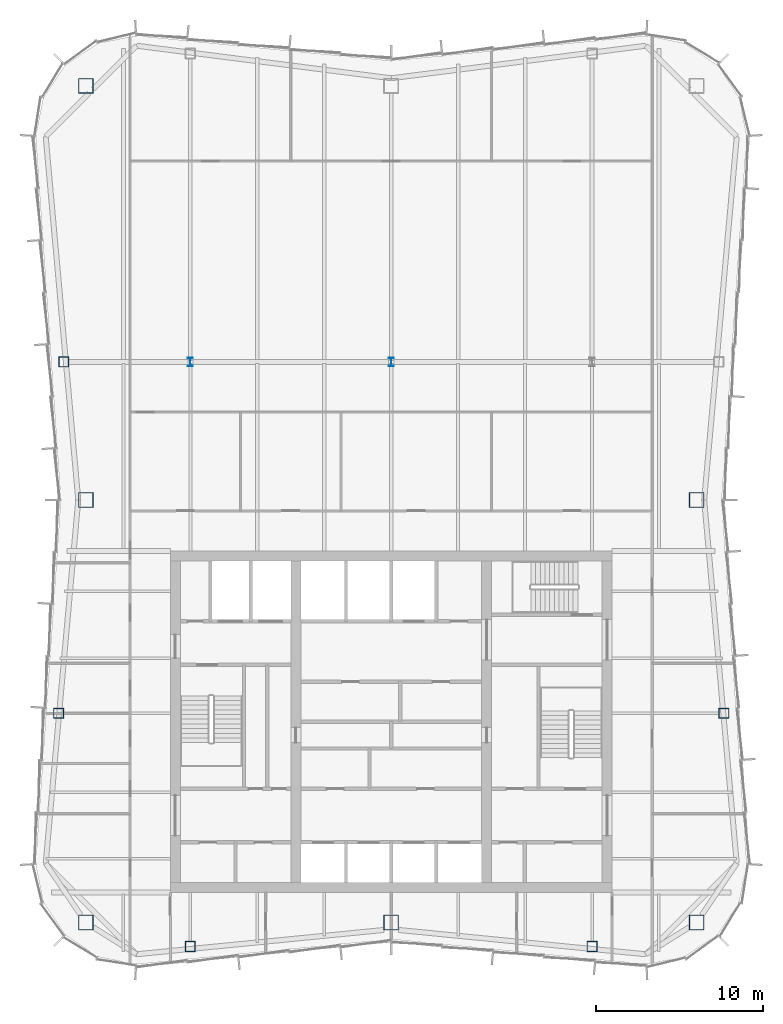
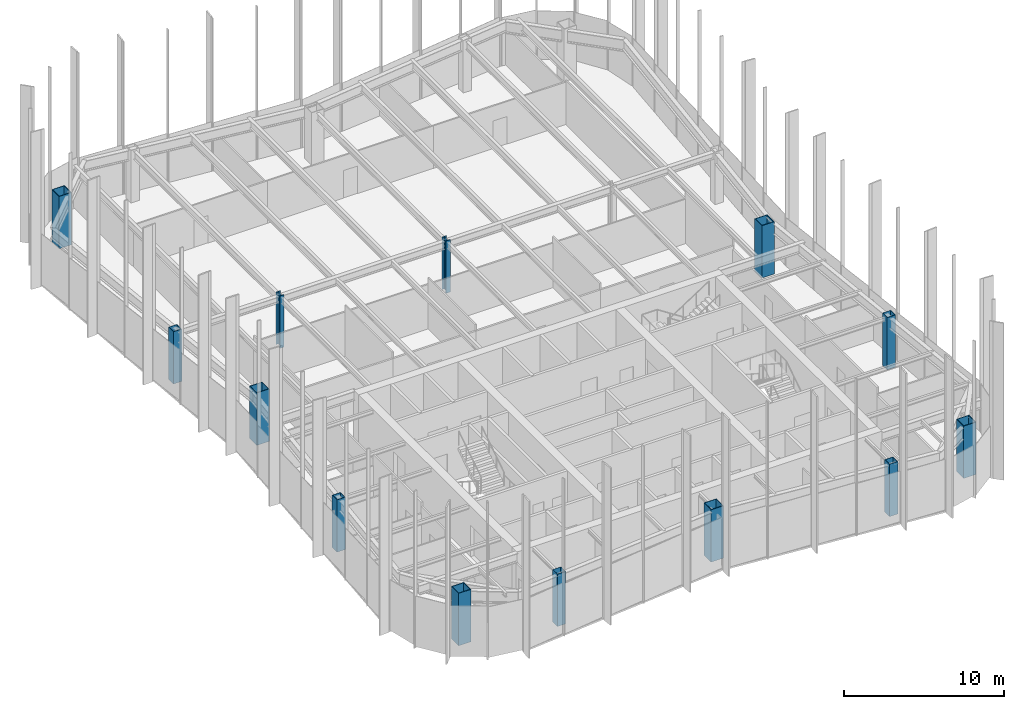
# One storey, part 1 of 13: 13 columns.
"""IFC4 building model written with IfcOpenShell, lengths in metres."""

from ifc_helpers import new_model, si_unit, direction, frame, origin, origin_2d, place, context, subcontext, project, spatial, hollow_rectangle, i_section, extrude, material, material_profile, profile_set, type_object, element, save


model = new_model("IFC4")

# Units and contexts
model_context = context("Model", 3, precision=1e-05, world=origin(), true_north=direction((0.0, 1.0)))
body_context = subcontext(model_context, "Body", "Model", "MODEL_VIEW")
ifc_project = project(units=[si_unit("LENGTHUNIT", "METRE"), si_unit("AREAUNIT", "SQUARE_METRE"), si_unit("VOLUMEUNIT", "CUBIC_METRE"), si_unit("PLANEANGLEUNIT", "RADIAN"), si_unit("MASSUNIT", "GRAM", prefix="KILO")], contexts=[model_context])

# Site, building, storey
site_placement = place(None, origin())
site = spatial("IfcSite", under=ifc_project, at=site_placement, CompositionType="ELEMENT")
building_placement = place(site_placement, origin())
building = spatial("IfcBuilding", under=site, at=building_placement, Name="Verdant Reach Tower", CompositionType="ELEMENT")
storey_placement = place(building_placement, frame((0.0, 0.0, 318.0)))
storey = spatial("IfcBuildingStorey", under=building, at=storey_placement, Name="L73", CompositionType="ELEMENT", Elevation=318.0)

# Columns
ifc_material = material(Name="Steel S460", Category="steel")
ifc_material_profile_1 = material_profile(ifc_material, i_section(OverallWidth=0.305908203125, OverallDepth=0.52392578125, WebThickness=0.012451171875, FlangeThickness=0.0400390625, FilletRadius=0.027099609375, at=origin_2d()), Name="HEM 500")
ifc_profile_set_1 = profile_set([ifc_material_profile_1], Name="Steel S460")
column_type_1 = type_object("IfcColumnType", Name="ST-COL-HEM500", PredefinedType="COLUMN", material=ifc_profile_set_1)
for number, where, z_axis, x_axis, name in (
    (1, (-12.0, 49.5, 0.0), (0.0, 0.0, 1.0), (1.0, 0.0, 0.0), "Interior column 1, L73"),
    (2, (0.0, 49.5, 0.0), (0.0, 0.0, 1.0), (1.0, 0.0, 0.0), "Interior column 2, L73"),
):
    element("IfcColumn", number, at=place(storey_placement, frame(where, z_axis=z_axis, x_axis=x_axis)), inside=storey, type_object=column_type_1, Name=name, PredefinedType="COLUMN", context=body_context, shape_type="SweptSolid", body=[
        extrude(i_section(OverallWidth=0.305908203125, OverallDepth=0.52392578125, WebThickness=0.012451171875, FlangeThickness=0.0400390625, FilletRadius=0.027099609375, at=origin_2d()), origin(), (0.0, 0.0, 1.0), 4.0),
    ])
ifc_material_profile_2 = material_profile(ifc_material, hollow_rectangle(XDim=0.60009765625, YDim=0.60009765625, WallThickness=0.02490234375, at=origin_2d()), Name="WB 600x600x25")
ifc_profile_set_2 = profile_set([ifc_material_profile_2], Name="Steel S460")
column_type_2 = type_object("IfcColumnType", Name="ST-COL-WB600x600x25", PredefinedType="COLUMN", material=ifc_profile_set_2)
for number, where, z_axis, x_axis, name in (
    (3, (-12.0, 14.569580078125, 0.0), (0.0, 0.0, 1.0), (1.0, 0.0, 0.0), "Perimeter column south 1, L73"),
    (4, (12.0, 14.569580078125, 0.0), (0.0, 0.0, 1.0), (1.0, 0.0, 0.0), "Perimeter column south 2, L73"),
    (5, (19.87939453125, 28.5, 0.0), (0.0, 0.0, 1.0), (1.0, 0.0, 0.0), "Perimeter column east 1, L73"),
    (6, (-19.87939453125, 28.5, 0.0), (0.0, 0.0, 1.0), (1.0, 0.0, 0.0), "Perimeter column west 1, L73"),
    (7, (-19.569091796875, 49.5, 0.0), (0.0, 0.0, 1.0), (1.0, 0.0, 0.0), "Perimeter column west 2, L73"),
):
    element("IfcColumn", number, at=place(storey_placement, frame(where, z_axis=z_axis, x_axis=x_axis)), inside=storey, type_object=column_type_2, Name=name, PredefinedType="COLUMN", context=body_context, shape_type="SweptSolid", body=[
        extrude(hollow_rectangle(XDim=0.60009765625, YDim=0.60009765625, WallThickness=0.02490234375, at=origin_2d()), origin(), (0.0, 0.0, 1.0), 4.0),
    ])
ifc_material_profile_3 = material_profile(ifc_material, hollow_rectangle(XDim=0.89990234375, YDim=0.89990234375, WallThickness=0.0400390625, at=origin_2d()), Name="WB 900x900x40")
ifc_profile_set_3 = profile_set([ifc_material_profile_3], Name="Steel S460")
column_type_3 = type_object("IfcColumnType", Name="ST-COL-WB900x900x40", PredefinedType="COLUMN", material=ifc_profile_set_3)
for number, where, z_axis, x_axis, name in (
    (8, (-18.25, 66.0, 0.0), (0.0, 0.0, 1.0), (1.0, 0.0, 0.0), "Mega column north-west, L73"),
    (9, (18.25, 41.25, 0.0), (0.0, 0.0, 1.0), (1.0, 0.0, 0.0), "Mega column east, L73"),
    (10, (18.25, 16.0, 0.0), (0.0, 0.0, 1.0), (1.0, 0.0, 0.0), "Mega column south-east, L73"),
    (11, (0.0, 16.0, 0.0), (0.0, 0.0, 1.0), (1.0, 0.0, 0.0), "Mega column south, L73"),
    (12, (-18.25, 16.0, 0.0), (0.0, 0.0, 1.0), (1.0, 0.0, 0.0), "Mega column south-west, L73"),
    (13, (-18.25, 41.25, 0.0), (0.0, 0.0, 1.0), (1.0, 0.0, 0.0), "Mega column west, L73"),
):
    element("IfcColumn", number, at=place(storey_placement, frame(where, z_axis=z_axis, x_axis=x_axis)), inside=storey, type_object=column_type_3, Name=name, PredefinedType="COLUMN", context=body_context, shape_type="SweptSolid", body=[
        extrude(hollow_rectangle(XDim=0.89990234375, YDim=0.89990234375, WallThickness=0.0400390625, at=origin_2d()), origin(), (0.0, 0.0, 1.0), 4.0),
    ])

save(model, "model.ifc")
